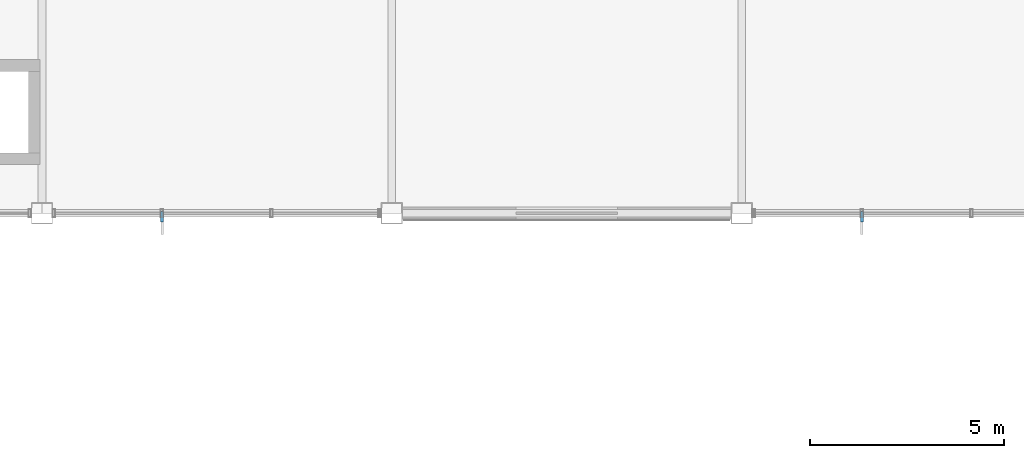
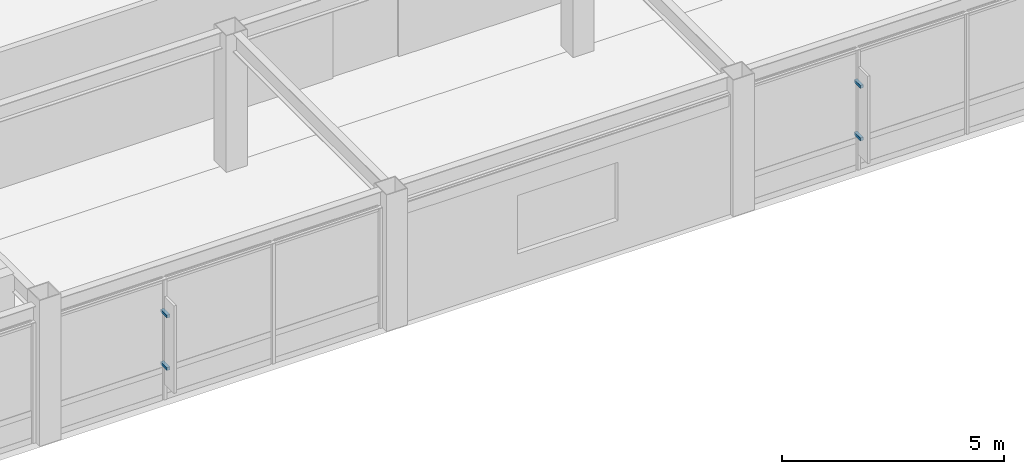
# One storey, part 105 of 113: 4 discrete accessories.
"""IFC4 building model written with IfcOpenShell, lengths in metres."""

from ifc_helpers import new_model, si_unit, direction, frame, origin, origin_2d, place, context, subcontext, project, spatial, rectangle, extrude, material, type_object, element, save


model = new_model("IFC4")

# Units and contexts
model_context = context("Model", 3, precision=1e-05, world=origin(), true_north=direction((0.0, 1.0)))
body_context = subcontext(model_context, "Body", "Model", "MODEL_VIEW")
ifc_project = project(units=[si_unit("LENGTHUNIT", "METRE"), si_unit("AREAUNIT", "SQUARE_METRE"), si_unit("VOLUMEUNIT", "CUBIC_METRE"), si_unit("PLANEANGLEUNIT", "RADIAN"), si_unit("MASSUNIT", "GRAM", prefix="KILO")], contexts=[model_context])

# Site, building, storey
site_placement = place(None, origin())
site = spatial("IfcSite", under=ifc_project, at=site_placement, CompositionType="ELEMENT")
building_placement = place(site_placement, origin())
building = spatial("IfcBuilding", under=site, at=building_placement, Name="Kazanami Central Library", CompositionType="ELEMENT")
storey_placement = place(building_placement, frame((0.0, 0.0, 8.800048828125)))
storey = spatial("IfcBuildingStorey", under=building, at=storey_placement, Name="L03", CompositionType="ELEMENT", Elevation=8.800048828125)

# Discrete accessories
ifc_material = material(Name="Stainless Steel SUS304", Category="steel")
discrete_accessory_type = type_object("IfcDiscreteAccessoryType", Name="ACC-BRK-1", PredefinedType="BRACKET", material=ifc_material)
for number, where, z_axis, x_axis, name in (
    (1, (66.091552734375, 64.7099609375, 0.887451171875), (0.0, 0.0, 1.0), (1.0, 0.0, 0.0), "Solar Fin Outrigger Bracket L03 S-K-07.1.1"),
    (2, (66.091552734375, 64.7099609375, 2.327392578125), (0.0, 0.0, 1.0), (1.0, 0.0, 0.0), "Solar Fin Outrigger Bracket L03 S-K-07.1.2"),
    (3, (84.091552734375, 64.7099609375, 0.887451171875), (0.0, 0.0, 1.0), (1.0, 0.0, 0.0), "Solar Fin Outrigger Bracket L03 S-K-09.1.1"),
    (4, (84.091552734375, 64.7099609375, 2.327392578125), (0.0, 0.0, 1.0), (1.0, 0.0, 0.0), "Solar Fin Outrigger Bracket L03 S-K-09.1.2"),
):
    element("IfcDiscreteAccessory", number, at=place(storey_placement, frame(where, z_axis=z_axis, x_axis=x_axis)), inside=storey, type_object=discrete_accessory_type, Name=name, PredefinedType="BRACKET", context=body_context, shape_type="SweptSolid", body=[
        extrude(rectangle(XDim=0.080078125, YDim=0.280029296875, at=origin_2d()), origin(), (0.0, 0.0, 1.0), 0.080078125),
    ])

save(model, "model.ifc")
